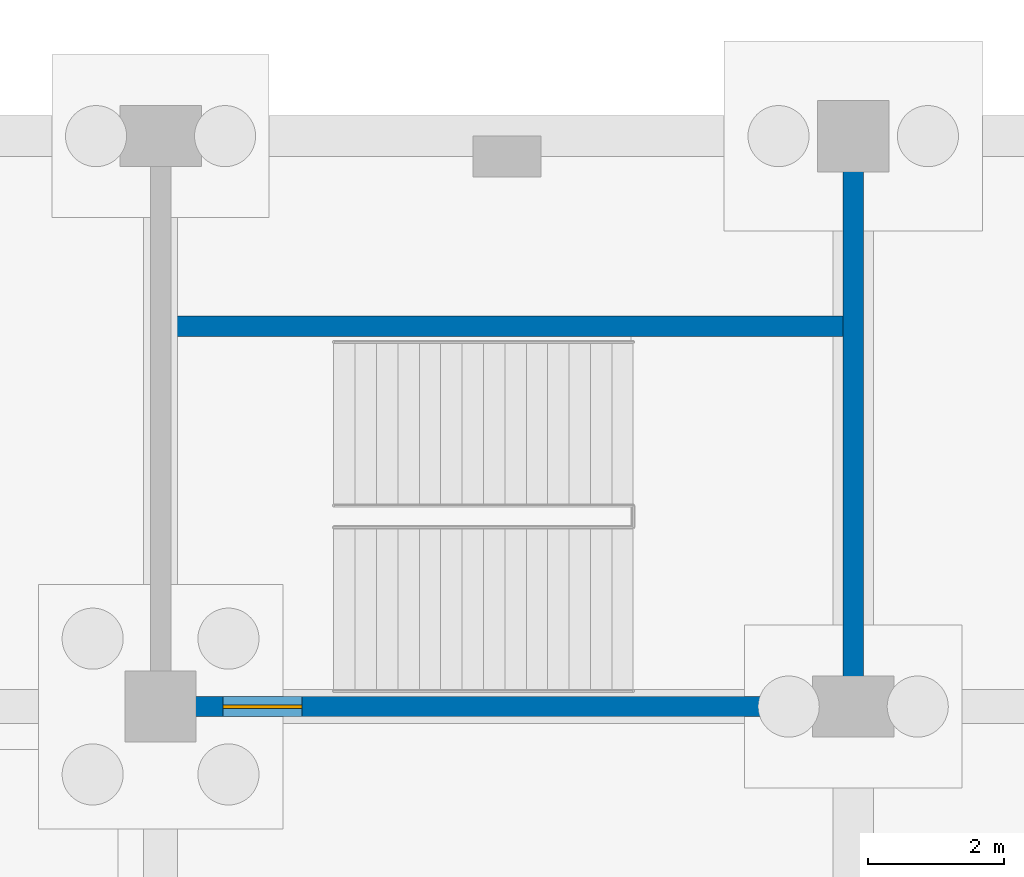
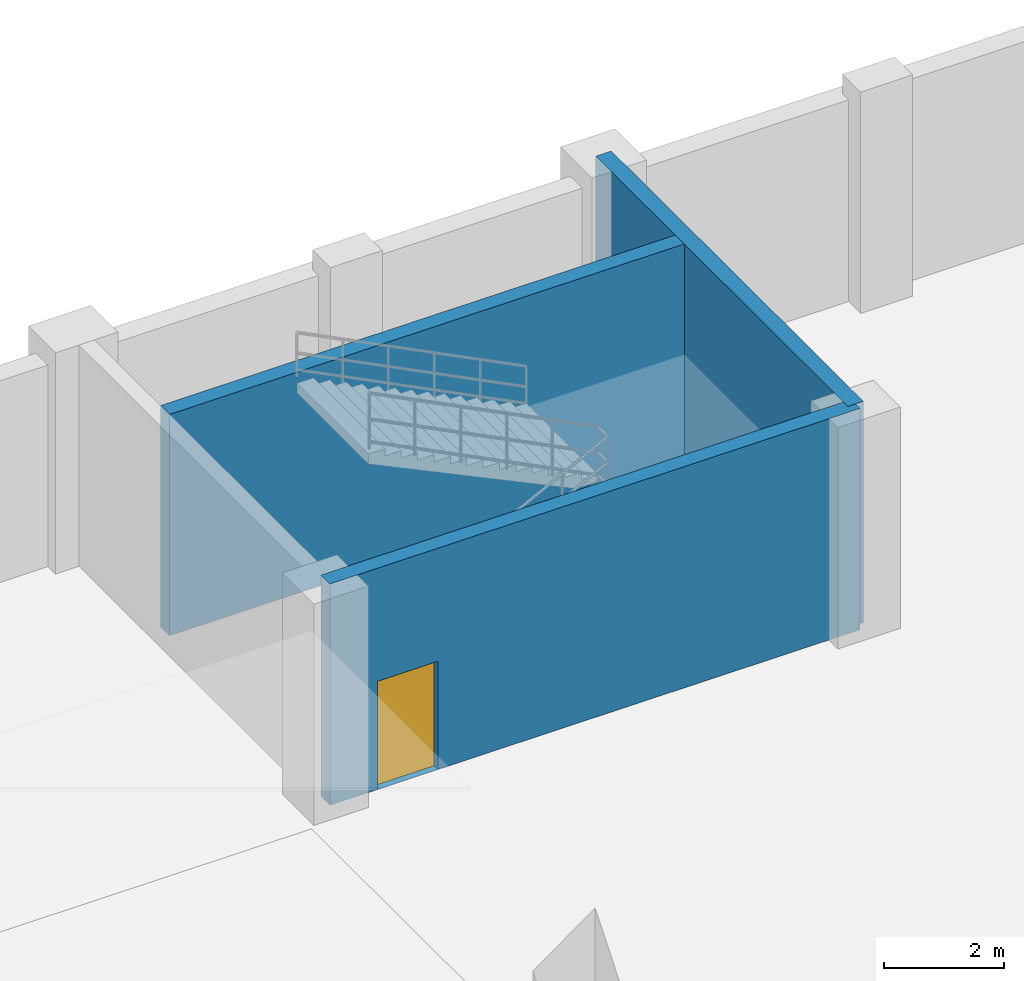
# One storey, part 42 of 52: 3 walls, 1 door, 1 opening.
"""IFC4 building model written with IfcOpenShell, lengths in metres."""

import ifcopenshell
import ifcopenshell.guid

model = None  # the IFC model being written
_history = None  # IfcOwnerHistory: only IFC2X3 demands one
_inside = {}  # id of a spatial element -> (the spatial element, [elements in it])
_under = {}  # id of a project, library or spatial element -> (it, [spatial elements below it])
_declared = {}  # id of a project -> (the project, [libraries it declares])
_typed = {}  # id of a type object -> (the type object, [elements of that type])
_made_of = {}  # id of a material, layer set ... -> (it, [elements and type objects made of it])


def new_model(schema):
    """Start an empty IFC model of exactly this schema.

    Asked for "IFC4X3", IfcOpenShell would pick the latest addendum, in which some entities
    have other attributes; the version numbers below select the first issue.
    IFC2X3 requires an IfcOwnerHistory on every rooted entity: one is made here for all.
    """
    global model, _history
    if schema == "IFC4X3":
        model = ifcopenshell.file(schema_version=(4, 3, 0, 0))
    else:
        model = ifcopenshell.file(schema=schema)
    _inside.clear()
    _under.clear()
    _declared.clear()
    _typed.clear()
    _made_of.clear()
    _history = None
    if model.schema == "IFC2X3":
        org = make("IfcOrganization", Name="unknown")
        user = make(
            "IfcPersonAndOrganization",
            ThePerson=make("IfcPerson", FamilyName="unknown"),
            TheOrganization=org,
        )
        app = make(
            "IfcApplication",
            ApplicationDeveloper=org,
            Version="unknown",
            ApplicationFullName="unknown",
            ApplicationIdentifier="unknown",
        )
        _history = make(
            "IfcOwnerHistory",
            OwningUser=user,
            OwningApplication=app,
            ChangeAction="ADDED",
            CreationDate=0,
        )
    return model


def make(cls, **values):
    """One entity of the class cls with the attributes given. An attribute that is None is left unset."""
    return model.create_entity(
        cls, **{name: value for name, value in values.items() if value is not None}
    )


def rooted(cls, **values):
    """An entity with a GlobalId (a new one), such as an element, a storey or a relation."""
    return make(cls, GlobalId=ifcopenshell.guid.new(), OwnerHistory=_history, **values)


def si_unit(unit_type, name, prefix=None):
    """IfcSIUnit, for example si_unit("LENGTHUNIT", "METRE", prefix="MILLI")."""
    return make("IfcSIUnit", UnitType=unit_type, Prefix=prefix, Name=name)


def assignment(units):
    """IfcUnitAssignment: the units of a project."""
    return None if units is None else make("IfcUnitAssignment", Units=units)


def point(xyz):
    """IfcCartesianPoint."""
    return None if xyz is None else make("IfcCartesianPoint", Coordinates=xyz)


def direction(xyz):
    """IfcDirection."""
    return None if xyz is None else make("IfcDirection", DirectionRatios=xyz)


def frame(location, z_axis=None, x_axis=None):
    """IfcAxis2Placement3D, a coordinate frame: its origin and axes. An axis left out is left unset."""
    return make(
        "IfcAxis2Placement3D",
        Location=point(location),
        Axis=direction(z_axis),
        RefDirection=direction(x_axis),
    )


def frame_2d(location, x_axis=None):
    """IfcAxis2Placement2D, a coordinate frame in the plane: its origin and x axis."""
    return make(
        "IfcAxis2Placement2D", Location=point(location), RefDirection=direction(x_axis)
    )


def origin():
    """The frame at (0, 0, 0) with its axes left unset."""
    return frame((0.0, 0.0, 0.0))


def place(relative_to, where):
    """IfcLocalPlacement: puts the frame where relative to a parent placement (None: the world)."""
    return make(
        "IfcLocalPlacement", PlacementRelTo=relative_to, RelativePlacement=where
    )


def context(
    kind, dimensions, precision=None, world=None, true_north=None, identifier=None
):
    """IfcGeometricRepresentationContext, for example the 3D "Model" context."""
    return make(
        "IfcGeometricRepresentationContext",
        ContextIdentifier=identifier,
        ContextType=kind,
        CoordinateSpaceDimension=dimensions,
        Precision=precision,
        WorldCoordinateSystem=world,
        TrueNorth=true_north,
    )


def subcontext(parent, identifier, kind, view, scale=None):
    """IfcGeometricRepresentationSubContext, for example "Body" below "Model"."""
    return make(
        "IfcGeometricRepresentationSubContext",
        ContextIdentifier=identifier,
        ContextType=kind,
        ParentContext=parent,
        TargetScale=scale,
        TargetView=view,
    )


def project(units=None, contexts=None):
    """IfcProject with its units and contexts."""
    return rooted(
        "IfcProject",
        Name="project",
        RepresentationContexts=contexts,
        UnitsInContext=assignment(units),
    )


def spatial(cls, under=None, at=None, **own):
    """A site, building, storey or space (cls), placed at a placement, below another one or the project."""
    s = rooted(cls, ObjectPlacement=at, **own)
    if under is not None:
        _under.setdefault(under.id(), (under, []))[1].append(s)
    return s


def profile(cls, at=None, kind="AREA", **sizes):
    """A parametric profile (cls). Its sizes go by their IFC names, for example OverallWidth=200.0."""
    return make(cls, ProfileType=kind, Position=at, **sizes)


def rectangle(**sizes):
    """IfcRectangleProfileDef."""
    return profile("IfcRectangleProfileDef", **sizes)


def extrude(swept, where, along, depth):
    """IfcExtrudedAreaSolid: the profile swept, set in the frame where, extruded along a direction by depth."""
    return make(
        "IfcExtrudedAreaSolid",
        SweptArea=swept,
        Position=where,
        ExtrudedDirection=direction(along),
        Depth=depth,
    )


def shape(context_of_items, identifier, shape_type, items):
    """IfcShapeRepresentation: the items that make up one representation, for example the "Body"."""
    return make(
        "IfcShapeRepresentation",
        ContextOfItems=context_of_items,
        RepresentationIdentifier=identifier,
        RepresentationType=shape_type,
        Items=items,
    )


def material(Name=None, Category=None):
    """IfcMaterial."""
    return make("IfcMaterial", Name=Name, Category=Category)


def layer(
    of_material, thickness, ventilated=None, Name=None, Category=None, Priority=None
):
    """IfcMaterialLayer: one layer of a wall or slab, of a material (None: an air gap)."""
    return make(
        "IfcMaterialLayer",
        Material=of_material,
        LayerThickness=thickness,
        IsVentilated=ventilated,
        Name=Name,
        Category=Category,
        Priority=Priority,
    )


def layer_set(layers, Name=None):
    """IfcMaterialLayerSet."""
    return make("IfcMaterialLayerSet", MaterialLayers=layers, LayerSetName=Name)


def made_of(thing, what):
    """Note that an element or type object is made of a material, layer set ...; save() writes the relation."""
    if what is not None:
        _made_of.setdefault(what.id(), (what, []))[1].append(thing)
    return thing


def type_object(cls, material=None, **own):
    """A type object (cls), such as IfcWallType, which elements share."""
    return made_of(rooted(cls, **own), material)


def element(
    cls,
    number,
    at=None,
    inside=None,
    cuts=None,
    type_object=None,
    material=None,
    context=None,
    identifier="Body",
    shape_type=None,
    held_by="IfcProductDefinitionShape",
    body=None,
    shapes=None,
    **own,
):
    """One element of the class cls, such as IfcWall. Its Tag is "e" and its number.

    at: its placement. inside: the storey or other place that contains it. cuts: it is an
    opening in that element (IfcRelVoidsElement). A single representation is given by context,
    identifier, shape_type and body (its items); several are given by shapes. held_by: the class
    of the entity that holds the representations. save() writes the other relations.
    """
    e = rooted(cls, Tag="e%d" % number, ObjectPlacement=at, **own)
    if body is not None:
        shapes = [shape(context, identifier, shape_type, body)]
    if shapes is not None:
        e.Representation = make(held_by, Representations=shapes)
    if inside is not None:
        _inside.setdefault(inside.id(), (inside, []))[1].append(e)
    if cuts is not None:
        rooted(
            "IfcRelVoidsElement", RelatingBuildingElement=cuts, RelatedOpeningElement=e
        )
    if type_object is not None:
        _typed.setdefault(type_object.id(), (type_object, []))[1].append(e)
    return made_of(e, material)


def fill(opening, filler):
    """IfcRelFillsElement: the door or window that sits in an opening."""
    return rooted(
        "IfcRelFillsElement",
        RelatingOpeningElement=opening,
        RelatedBuildingElement=filler,
    )


def aggregate(whole, parts):
    """IfcRelAggregates: a whole, such as a stair, and the parts it consists of."""
    return rooted("IfcRelAggregates", RelatingObject=whole, RelatedObjects=parts)


def save(model, path):
    """Write the relations noted so far, then the file.

    IfcRelAggregates (storeys below a building ...), IfcRelContainedInSpatialStructure (elements
    in a storey), IfcRelDefinesByType, IfcRelAssociatesMaterial and IfcRelDeclares: one each for
    every whole, place, type object, material and project.
    """
    for whole, parts in _under.values():
        aggregate(whole, parts)
    for where, things in _inside.values():
        rooted(
            "IfcRelContainedInSpatialStructure",
            RelatedElements=things,
            RelatingStructure=where,
        )
    for kind, things in _typed.values():
        rooted("IfcRelDefinesByType", RelatedObjects=things, RelatingType=kind)
    for what, things in _made_of.values():
        rooted("IfcRelAssociatesMaterial", RelatedObjects=things, RelatingMaterial=what)
    for by, libraries in _declared.values():
        rooted("IfcRelDeclares", RelatingContext=by, RelatedDefinitions=libraries)
    model.write(path)


model = new_model("IFC4")

# Units and contexts
model_context = context("Model", 3, precision=1e-05, world=origin(), true_north=direction((0.0, 1.0)))
body_context = subcontext(model_context, "Body", "Model", "MODEL_VIEW")
ifc_project = project(units=[si_unit("LENGTHUNIT", "METRE"), si_unit("AREAUNIT", "SQUARE_METRE"), si_unit("VOLUMEUNIT", "CUBIC_METRE"), si_unit("PLANEANGLEUNIT", "RADIAN"), si_unit("MASSUNIT", "GRAM", prefix="KILO")], contexts=[model_context])

# Site, building, storey
site_placement = place(None, origin())
site = spatial("IfcSite", under=ifc_project, at=site_placement, CompositionType="ELEMENT")
building_placement = place(site_placement, origin())
building = spatial("IfcBuilding", under=site, at=building_placement, Name="Brelvane Convention Centre", CompositionType="ELEMENT")
storey_placement = place(building_placement, frame((0.0, 0.0, -4.5)))
storey = spatial("IfcBuildingStorey", under=building, at=storey_placement, Name="B1", CompositionType="ELEMENT", Elevation=-4.5)

# Wall, opening, door
ifc_material_1 = material(Name="Concrete M50", Category="concrete")
ifc_layer = layer(ifc_material_1, 0.300048828125)
ifc_layer_set = layer_set([ifc_layer], Name="Concrete M50")
wall_type = type_object("IfcWallType", Name="Structural Wall WL-CORE-300", PredefinedType="SHEAR", material=ifc_layer_set)
wall_1_placement = place(storey_placement, frame((91.800048828125, 135.60009765625, 0.0), z_axis=(0.0, 0.0, 1.0), x_axis=(1.0, 0.0, 0.0)))
wall_1 = element("IfcWall", 1, at=wall_1_placement, inside=storey, type_object=wall_type, Name="Stair Core ST-12 Wall S (B1)", PredefinedType="SHEAR", context=body_context, shape_type="SweptSolid", body=[
    extrude(rectangle(XDim=10.199951171875, YDim=0.300048828125, at=frame_2d((5.10009765625, 0.0))), origin(), (0.0, 0.0, 1.0), 4.5),
])
opening_placement = place(wall_1_placement, frame((0.919921875, 0.0, 0.0)))
opening = element("IfcOpeningElement", 2, at=opening_placement, cuts=wall_1, Name="Opening DR-IN-04L", PredefinedType="OPENING", context=body_context, shape_type="SweptSolid", body=[
    extrude(rectangle(XDim=1.159912109375, YDim=2.199951171875, at=frame_2d((0.580078125, 1.10009765625))), frame((0.0, 0.159912109375, 0.0), z_axis=(0.0, -1.0, 0.0), x_axis=(1.0, 0.0, 0.0)), (0.0, 0.0, 1.0), 0.320068359375),
])
ifc_material_2 = material(Name="Galvanised Hollow-Metal Fire Door Steel E250", Category="steel")
door_type = type_object("IfcDoorType", Name="Interior Door DR-IN-04L", OperationType="NOTDEFINED", PredefinedType="DOOR", material=ifc_material_2)
door_placement = place(opening_placement, origin())
door = element("IfcDoor", 3, at=door_placement, inside=storey, type_object=door_type, Name="Stair ST-12 Entry Door (B1)", OperationType="SINGLE_SWING_LEFT", OverallHeight=2.199951171875, OverallWidth=1.159912109375, PredefinedType="DOOR", context=body_context, shape_type="SweptSolid", body=[
    extrude(rectangle(XDim=1.159912109375, YDim=2.199951171875, at=frame_2d((0.580078125, 1.10009765625))), frame((0.0, 0.02490234375, 0.0), z_axis=(0.0, -1.0, 0.0), x_axis=(1.0, 0.0, 0.0)), (0.0, 0.0, 1.0), 0.050048828125),
])
fill(opening, door)

# Walls
wall_2_placement = place(storey_placement, frame((102.0, 135.60009765625, 0.0), z_axis=(0.0, 0.0, 1.0), x_axis=(0.0, 1.0, 0.0)))
element("IfcWall", 4, at=wall_2_placement, inside=storey, type_object=wall_type, Name="Stair Core ST-12 Wall E (B1)", PredefinedType="SHEAR", context=body_context, shape_type="SweptSolid", body=[
    extrude(rectangle(XDim=8.39990234375, YDim=0.300048828125, at=frame_2d((4.199951171875, 0.0))), origin(), (0.0, 0.0, 1.0), 4.5),
])
wall_3_placement = place(storey_placement, frame((91.949951171875, 141.199951171875, 0.0), z_axis=(0.0, 0.0, 1.0), x_axis=(1.0, 0.0, 0.0)))
element("IfcWall", 5, at=wall_3_placement, inside=storey, type_object=wall_type, Name="Stair Core ST-12 Well Wall (B1)", PredefinedType="SHEAR", context=body_context, shape_type="SweptSolid", body=[
    extrude(rectangle(XDim=9.900146484375, YDim=0.300048828125, at=frame_2d((4.9501953125, 0.0))), origin(), (0.0, 0.0, 1.0), 4.5),
])

save(model, "model.ifc")
